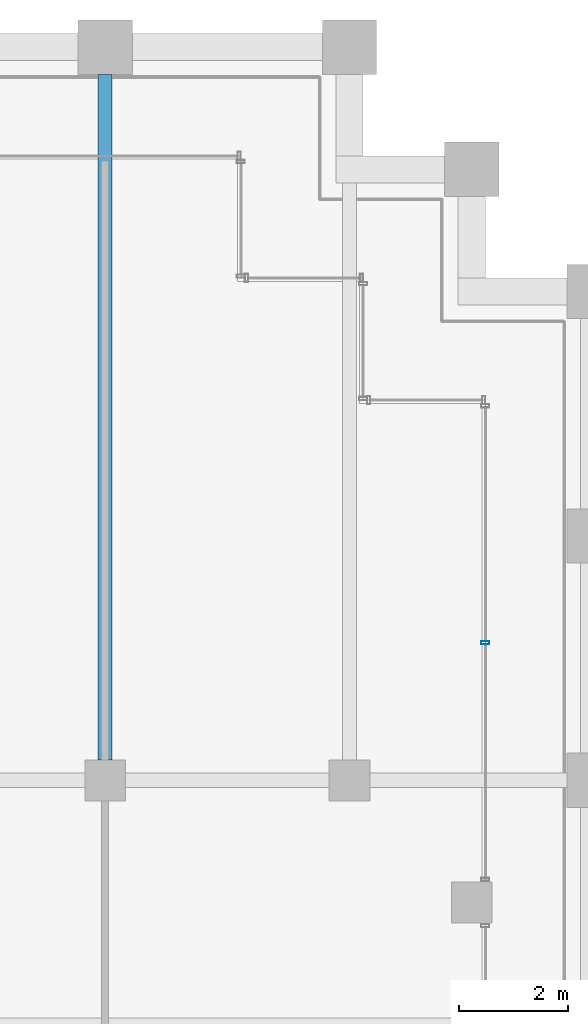
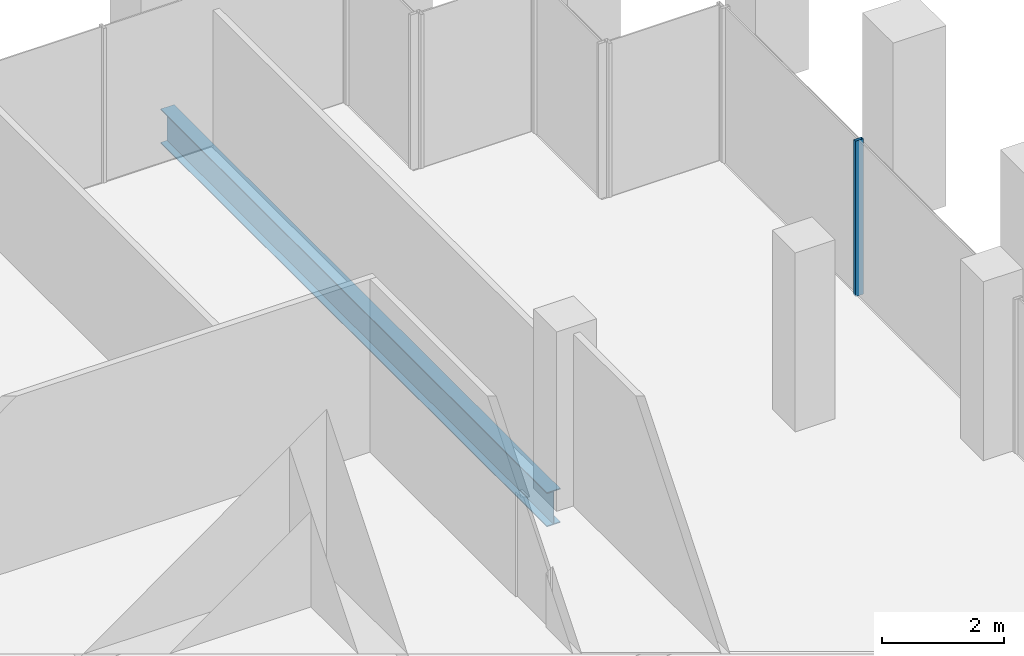
# One storey, part 24 of 46: 1 beam, 1 member, 1 element without a shape of its own.
"""IFC4 building model written with IfcOpenShell, lengths in metres."""

from ifc_helpers import new_model, si_unit, direction, frame, origin, origin_2d, place, context, subcontext, project, spatial, hollow_rectangle, i_section, extrude, material, material_profile, profile_set, type_object, element, aggregate, save


model = new_model("IFC4")

# Units and contexts
model_context = context("Model", 3, precision=1e-05, world=origin(), true_north=direction((0.0, 1.0)))
body_context = subcontext(model_context, "Body", "Model", "MODEL_VIEW")
ifc_project = project(units=[si_unit("LENGTHUNIT", "METRE"), si_unit("AREAUNIT", "SQUARE_METRE"), si_unit("VOLUMEUNIT", "CUBIC_METRE"), si_unit("PLANEANGLEUNIT", "RADIAN"), si_unit("MASSUNIT", "GRAM", prefix="KILO")], contexts=[model_context])

# Site, building, storey
site_placement = place(None, origin())
site = spatial("IfcSite", under=ifc_project, at=site_placement, CompositionType="ELEMENT")
building_placement = place(site_placement, origin())
building = spatial("IfcBuilding", under=site, at=building_placement, Name="Altepetl Exchange Towers", CompositionType="ELEMENT")
storey_placement = place(building_placement, frame((0.0, 0.0, 102.800048828125)))
storey = spatial("IfcBuildingStorey", under=building, at=storey_placement, Name="L25", CompositionType="ELEMENT", Elevation=102.800048828125)

# Beam
ifc_material_1 = material(Name="Steel S355", Category="steel")
ifc_material_profile_1 = material_profile(ifc_material_1, i_section(OverallWidth=0.25390625, OverallDepth=0.68408203125, WebThickness=0.012451171875, FlangeThickness=0.018798828125, at=origin_2d()), Name="W27X94")
ifc_profile_set_1 = profile_set([ifc_material_profile_1], Name="Steel S355")
beam_type = type_object("IfcBeamType", Name="Floor beam W27X94", PredefinedType="BEAM", material=ifc_profile_set_1)
beam_placement = place(storey_placement, frame((63.0, 58.875, -0.491943359375), z_axis=(0.0, 1.0, 0.0), x_axis=(-1.0, 0.0, 0.0)))
element("IfcBeam", 1, at=beam_placement, inside=storey, type_object=beam_type, Name="bm:A:L25:004", PredefinedType="BEAM", context=body_context, shape_type="SweptSolid", body=[
    extrude(i_section(OverallWidth=0.25390625, OverallDepth=0.68408203125, WebThickness=0.012451171875, FlangeThickness=0.018798828125, at=origin_2d()), origin(), (0.0, 0.0, 1.0), 12.625),
])

# Curtain wall, member
ifc_material_2 = material(Name="Aluminium 6063-T6 glazing", Category="aluminium")
curtain_wall_type = type_object("IfcCurtainWallType", Name="Loggia glazing system", PredefinedType="NOTDEFINED", material=ifc_material_2)
curtain_wall_placement = place(storey_placement, origin())
curtain_wall = element("IfcCurtainWall", 2, at=curtain_wall_placement, inside=storey, type_object=curtain_wall_type, Name="CW1 run", PredefinedType="NOTDEFINED")
ifc_material_3 = material(Name="Aluminium 6063-T6", Category="aluminium")
ifc_material_profile_2 = material_profile(ifc_material_3, hollow_rectangle(XDim=0.06005859375, YDim=0.14990234375, WallThickness=0.0029296875, at=origin_2d()), Name="Mullion 60x150 aluminium")
ifc_profile_set_2 = profile_set([ifc_material_profile_2], Name="Aluminium 6063-T6")
member_type = type_object("IfcMemberType", Name="Mullion 60x150 aluminium", PredefinedType="MULLION", material=ifc_profile_set_2)
member_placement = place(storey_placement, frame((70.0, 61.034912109375, 0.0), z_axis=(0.0, 0.0, 1.0), x_axis=(0.0, 1.0, 0.0)))
member = element("IfcMember", 3, at=member_placement, type_object=member_type, Name="MU1 mullion", PredefinedType="MULLION", context=body_context, shape_type="SweptSolid", body=[
    extrude(hollow_rectangle(XDim=0.06005859375, YDim=0.14990234375, WallThickness=0.0029296875, at=origin_2d()), origin(), (0.0, 0.0, 1.0), 3.099853515625),
])
aggregate(curtain_wall, [member])

save(model, "model.ifc")
